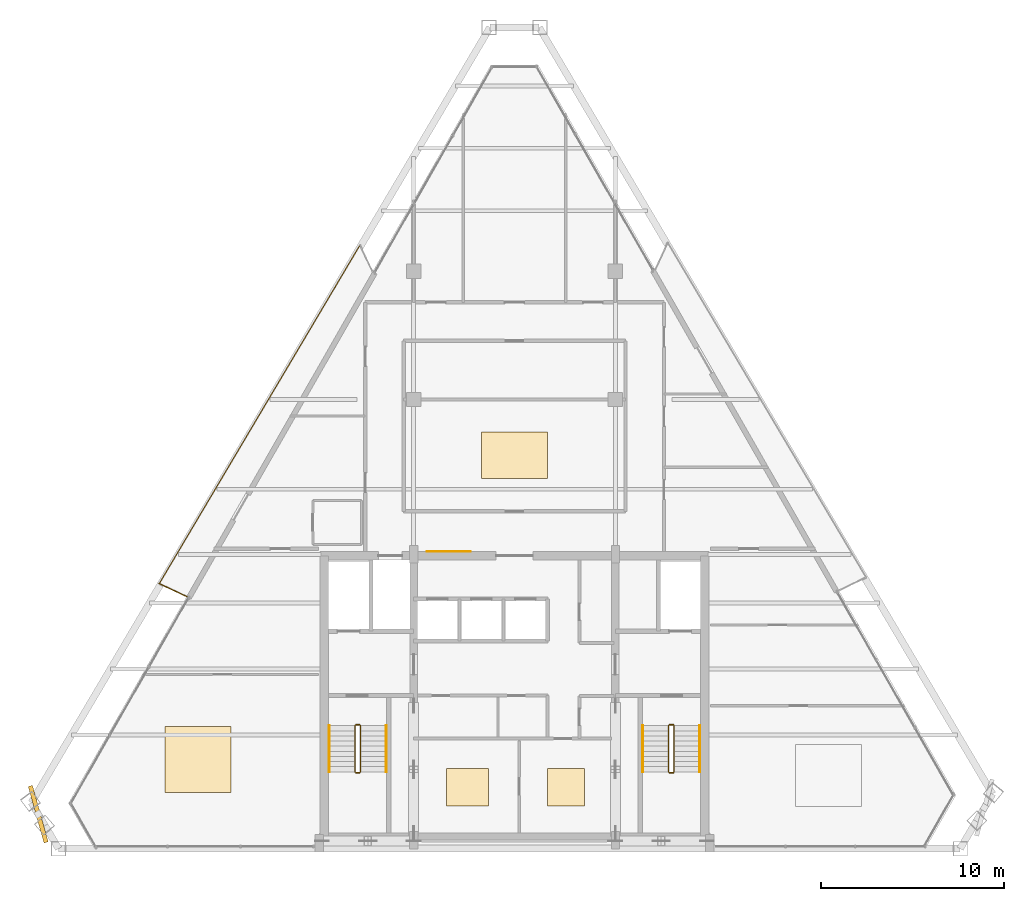
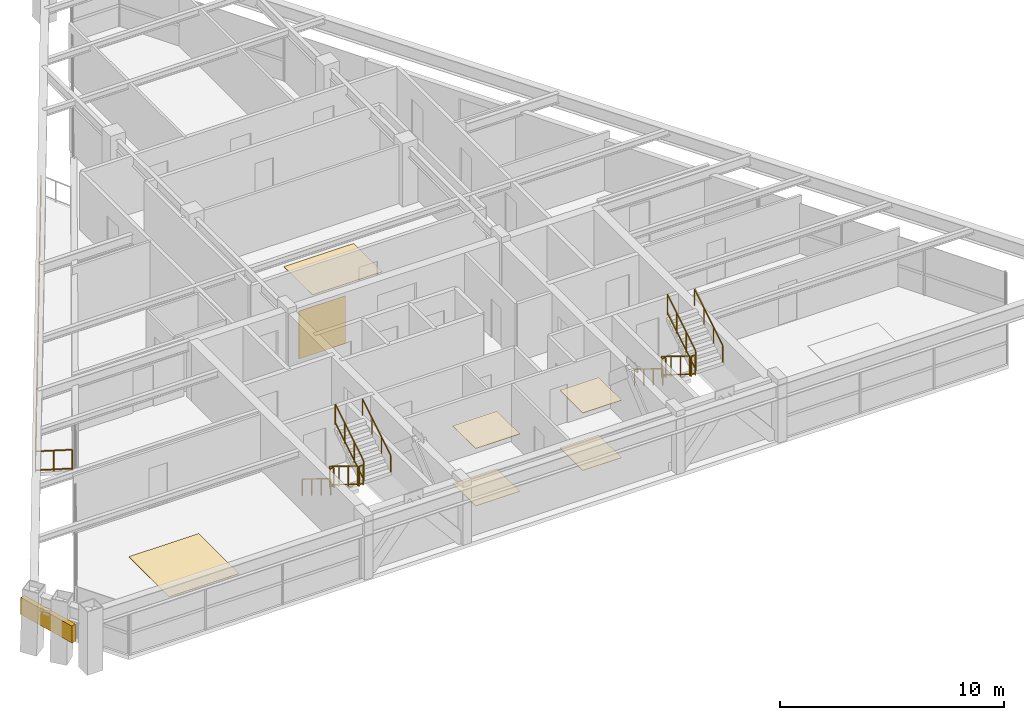
# One storey, part 12 of 13: 14 railings, 7 coverings, 1 shading device.
"""IFC4 building model written with IfcOpenShell, lengths in metres."""

from ifc_helpers import new_model, si_unit, direction, frame, origin, origin_2d, place, context, subcontext, project, spatial, rectangle, extrude, source, transform, mapped, material, layer, layer_set, type_object, type_shapes, element, save


model = new_model("IFC4")

# Units and contexts
model_context = context("Model", 3, precision=1e-05, world=origin(), true_north=direction((0.0, 1.0)))
body_context = subcontext(model_context, "Body", "Model", "MODEL_VIEW")
ifc_project = project(units=[si_unit("LENGTHUNIT", "METRE"), si_unit("AREAUNIT", "SQUARE_METRE"), si_unit("VOLUMEUNIT", "CUBIC_METRE"), si_unit("PLANEANGLEUNIT", "RADIAN"), si_unit("MASSUNIT", "GRAM", prefix="KILO")], contexts=[model_context])

# Site, building, storey
site_placement = place(None, origin())
site = spatial("IfcSite", under=ifc_project, at=site_placement, CompositionType="ELEMENT")
building_placement = place(site_placement, origin())
building = spatial("IfcBuilding", under=site, at=building_placement, Name="Varnakhor Terracotta Tower", CompositionType="ELEMENT")
storey_placement = place(building_placement, frame((0.0, 0.0, 300.60009765625)))
storey = spatial("IfcBuildingStorey", under=building, at=storey_placement, Name="L79", CompositionType="ELEMENT", Elevation=300.60009765625)

# Railings
ifc_material_1 = material(Name="Stainless Steel & Laminated Glass Guardrail", Category="steel")
railing_type_1 = type_object("IfcRailingType", Name="RLG-LOGGIA-GUARD-1150", PredefinedType="GUARDRAIL", material=ifc_material_1)
railing_1_placement = place(storey_placement, frame((-17.880859375, 13.751953125, 0.0)))
element("IfcRailing", 1, at=railing_1_placement, inside=storey, type_object=railing_type_1, Name="L79 W Loggia Glass Guard 1", PredefinedType="GUARDRAIL", context=body_context, shape_type="SweptSolid", body=[
    extrude(rectangle(XDim=0.048095703125, YDim=0.048095703125, at=origin_2d()), frame((0.0, 0.0, 1.1259765625), z_axis=(-0.90399646343, 0.427539932762, 0.0), x_axis=(-0.427539932762, -0.90399646343, 0.0)), (0.0, 0.0, 1.0), 1.652099609375),
    extrude(rectangle(XDim=0.048095703125, YDim=0.048095703125, at=origin_2d()), frame((0.0, 0.0, 0.10009765625), z_axis=(-0.90399646343, 0.427539932762, 0.0), x_axis=(-0.427539932762, -0.90399646343, 0.0)), (0.0, 0.0, 1.0), 1.652099609375),
    extrude(rectangle(XDim=0.0419921875, YDim=0.0419921875, at=origin_2d()), origin(), (0.0, 0.0, 1.0), 1.101806640625),
    extrude(rectangle(XDim=0.0419921875, YDim=0.0419921875, at=origin_2d()), frame((-0.74658203125, 0.35302734375, 0.0)), (0.0, 0.0, 1.0), 1.101806640625),
    extrude(rectangle(XDim=0.0419921875, YDim=0.0419921875, at=origin_2d()), frame((-1.493408203125, 0.706298828125, 0.0)), (0.0, 0.0, 1.0), 1.101806640625),
])
railing_2_placement = place(storey_placement, frame((-19.374267578125, 14.458251953125, 0.0)))
element("IfcRailing", 2, at=railing_2_placement, inside=storey, type_object=railing_type_1, Name="L79 W Loggia Glass Guard 2", PredefinedType="GUARDRAIL", context=body_context, shape_type="SweptSolid", body=[
    extrude(rectangle(XDim=0.048095703125, YDim=0.048095703125, at=origin_2d()), frame((0.0, 0.0, 1.1259765625), z_axis=(0.509912129305, 0.860226493656, 0.0), x_axis=(-0.860226493656, 0.509912129305, 0.0)), (0.0, 0.0, 1.0), 21.465087890625),
    extrude(rectangle(XDim=0.048095703125, YDim=0.048095703125, at=origin_2d()), frame((0.0, 0.0, 0.10009765625), z_axis=(0.509912129305, 0.860226493656, 0.0), x_axis=(-0.860226493656, 0.509912129305, 0.0)), (0.0, 0.0, 1.0), 21.465087890625),
    extrude(rectangle(XDim=0.0419921875, YDim=0.0419921875, at=origin_2d()), origin(), (0.0, 0.0, 1.0), 1.101806640625),
    extrude(rectangle(XDim=0.0419921875, YDim=0.0419921875, at=origin_2d()), frame((0.68408203125, 1.154052734375, 0.0)), (0.0, 0.0, 1.0), 1.101806640625),
    extrude(rectangle(XDim=0.0419921875, YDim=0.0419921875, at=origin_2d()), frame((1.3681640625, 2.30810546875, 0.0)), (0.0, 0.0, 1.0), 1.101806640625),
    extrude(rectangle(XDim=0.0419921875, YDim=0.0419921875, at=origin_2d()), frame((2.05224609375, 3.462158203125, 0.0)), (0.0, 0.0, 1.0), 1.101806640625),
    extrude(rectangle(XDim=0.0419921875, YDim=0.0419921875, at=origin_2d()), frame((2.736328125, 4.6162109375, 0.0)), (0.0, 0.0, 1.0), 1.101806640625),
    extrude(rectangle(XDim=0.0419921875, YDim=0.0419921875, at=origin_2d()), frame((3.42041015625, 5.770263671875, 0.0)), (0.0, 0.0, 1.0), 1.101806640625),
    extrude(rectangle(XDim=0.0419921875, YDim=0.0419921875, at=origin_2d()), frame((4.1044921875, 6.92431640625, 0.0)), (0.0, 0.0, 1.0), 1.101806640625),
    extrude(rectangle(XDim=0.0419921875, YDim=0.0419921875, at=origin_2d()), frame((4.78857421875, 8.078369140625, 0.0)), (0.0, 0.0, 1.0), 1.101806640625),
    extrude(rectangle(XDim=0.0419921875, YDim=0.0419921875, at=origin_2d()), frame((5.47265625, 9.232421875, 0.0)), (0.0, 0.0, 1.0), 1.101806640625),
    extrude(rectangle(XDim=0.0419921875, YDim=0.0419921875, at=origin_2d()), frame((6.15673828125, 10.386474609375, 0.0)), (0.0, 0.0, 1.0), 1.101806640625),
    extrude(rectangle(XDim=0.0419921875, YDim=0.0419921875, at=origin_2d()), frame((6.8408203125, 11.54052734375, 0.0)), (0.0, 0.0, 1.0), 1.101806640625),
    extrude(rectangle(XDim=0.0419921875, YDim=0.0419921875, at=origin_2d()), frame((7.52490234375, 12.694580078125, 0.0)), (0.0, 0.0, 1.0), 1.101806640625),
    extrude(rectangle(XDim=0.0419921875, YDim=0.0419921875, at=origin_2d()), frame((8.208984375, 13.8486328125, 0.0)), (0.0, 0.0, 1.0), 1.101806640625),
    extrude(rectangle(XDim=0.0419921875, YDim=0.0419921875, at=origin_2d()), frame((8.89306640625, 15.002685546875, 0.0)), (0.0, 0.0, 1.0), 1.101806640625),
    extrude(rectangle(XDim=0.0419921875, YDim=0.0419921875, at=origin_2d()), frame((9.5771484375, 16.15673828125, 0.0)), (0.0, 0.0, 1.0), 1.101806640625),
    extrude(rectangle(XDim=0.0419921875, YDim=0.0419921875, at=origin_2d()), frame((10.26123046875, 17.310791015625, 0.0)), (0.0, 0.0, 1.0), 1.101806640625),
    extrude(rectangle(XDim=0.0419921875, YDim=0.0419921875, at=origin_2d()), frame((10.9453125, 18.46484375, 0.0)), (0.0, 0.0, 1.0), 1.101806640625),
])
ifc_material_2 = material(Name="Painted Steel Stairwell Guardrail", Category="steel")
railing_type_2 = type_object("IfcRailingType", Name="RLG-STAIR-GUARD-1120", PredefinedType="GUARDRAIL", material=ifc_material_2)
railing_3_placement = place(storey_placement, frame((-8.699951171875, 6.7099609375, 0.17236328125)))
element("IfcRailing", 3, at=railing_3_placement, inside=storey, type_object=railing_type_2, Name="L79 ST-1 stair guard 1", PredefinedType="GUARDRAIL", context=body_context, shape_type="SweptSolid", body=[
    extrude(rectangle(XDim=0.048095703125, YDim=0.048095703125, at=origin_2d()), frame((0.0, 0.0, 1.09619140625), z_axis=(0.0, -0.851400495292, 0.524516154772), x_axis=(1.0, 0.0, 0.0)), (0.0, 0.0, 1.0), 2.9599609375),
    extrude(rectangle(XDim=0.048095703125, YDim=0.048095703125, at=origin_2d()), frame((0.0, 0.0, 0.10009765625), z_axis=(0.0, -0.851400495292, 0.524516154772), x_axis=(1.0, 0.0, 0.0)), (0.0, 0.0, 1.0), 2.9599609375),
    extrude(rectangle(XDim=0.0419921875, YDim=0.0419921875, at=origin_2d()), origin(), (0.0, 0.0, 1.0), 1.072021484375),
    extrude(rectangle(XDim=0.0419921875, YDim=0.0419921875, at=origin_2d()), frame((0.0, -0.840087890625, 0.517578125)), (0.0, 0.0, 1.0), 1.072021484375),
    extrude(rectangle(XDim=0.0419921875, YDim=0.0419921875, at=origin_2d()), frame((0.0, -1.679931640625, 1.034912109375)), (0.0, 0.0, 1.0), 1.072021484375),
    extrude(rectangle(XDim=0.0419921875, YDim=0.0419921875, at=origin_2d()), frame((0.0, -2.52001953125, 1.552490234375)), (0.0, 0.0, 1.0), 1.072021484375),
])
railing_4_placement = place(storey_placement, frame((-8.64990234375, 4.139892578125, 1.724853515625)))
element("IfcRailing", 4, at=railing_4_placement, inside=storey, type_object=railing_type_2, Name="L79 ST-1 stair guard 2", PredefinedType="GUARDRAIL", context=body_context, shape_type="SweptSolid", body=[
    extrude(rectangle(XDim=0.048095703125, YDim=0.048095703125, at=origin_2d()), frame((0.0, 0.0, 1.09619140625), z_axis=(1.0, 0.0, 0.0), x_axis=(0.0, 1.0, 0.0)), (0.0, 0.0, 1.0), 0.199951171875),
    extrude(rectangle(XDim=0.048095703125, YDim=0.048095703125, at=origin_2d()), frame((0.0, 0.0, 0.10009765625), z_axis=(1.0, 0.0, 0.0), x_axis=(0.0, 1.0, 0.0)), (0.0, 0.0, 1.0), 0.199951171875),
    extrude(rectangle(XDim=0.0419921875, YDim=0.0419921875, at=origin_2d()), origin(), (0.0, 0.0, 1.0), 1.072021484375),
    extrude(rectangle(XDim=0.0419921875, YDim=0.0419921875, at=origin_2d()), frame((0.199951171875, 0.0, 0.0)), (0.0, 0.0, 1.0), 1.072021484375),
])
railing_5_placement = place(storey_placement, frame((-8.39990234375, 4.18994140625, 1.8974609375)))
element("IfcRailing", 5, at=railing_5_placement, inside=storey, type_object=railing_type_2, Name="L79 ST-1 stair guard 3", PredefinedType="GUARDRAIL", context=body_context, shape_type="SweptSolid", body=[
    extrude(rectangle(XDim=0.048095703125, YDim=0.048095703125, at=origin_2d()), frame((0.0, 0.0, 1.09619140625), z_axis=(0.0, 0.851400495292, 0.524516154772), x_axis=(-1.0, 0.0, 0.0)), (0.0, 0.0, 1.0), 2.9599609375),
    extrude(rectangle(XDim=0.048095703125, YDim=0.048095703125, at=origin_2d()), frame((0.0, 0.0, 0.10009765625), z_axis=(0.0, 0.851400495292, 0.524516154772), x_axis=(-1.0, 0.0, 0.0)), (0.0, 0.0, 1.0), 2.9599609375),
    extrude(rectangle(XDim=0.0419921875, YDim=0.0419921875, at=origin_2d()), origin(), (0.0, 0.0, 1.0), 1.072021484375),
    extrude(rectangle(XDim=0.0419921875, YDim=0.0419921875, at=origin_2d()), frame((0.0, 0.840087890625, 0.517578125)), (0.0, 0.0, 1.0), 1.072021484375),
    extrude(rectangle(XDim=0.0419921875, YDim=0.0419921875, at=origin_2d()), frame((0.0, 1.679931640625, 1.034912109375)), (0.0, 0.0, 1.0), 1.072021484375),
    extrude(rectangle(XDim=0.0419921875, YDim=0.0419921875, at=origin_2d()), frame((0.0, 2.52001953125, 1.552490234375)), (0.0, 0.0, 1.0), 1.072021484375),
])
railing_6_placement = place(storey_placement, frame((-8.64990234375, 6.760009765625, 0.0)))
element("IfcRailing", 6, at=railing_6_placement, inside=storey, type_object=railing_type_2, Name="L79 ST-1 stair guard 4", PredefinedType="GUARDRAIL", context=body_context, shape_type="SweptSolid", body=[
    extrude(rectangle(XDim=0.048095703125, YDim=0.048095703125, at=origin_2d()), frame((0.0, 0.0, 1.09619140625), z_axis=(1.0, 0.0, 0.0), x_axis=(0.0, 1.0, 0.0)), (0.0, 0.0, 1.0), 0.199951171875),
    extrude(rectangle(XDim=0.048095703125, YDim=0.048095703125, at=origin_2d()), frame((0.0, 0.0, 0.10009765625), z_axis=(1.0, 0.0, 0.0), x_axis=(0.0, 1.0, 0.0)), (0.0, 0.0, 1.0), 0.199951171875),
    extrude(rectangle(XDim=0.0419921875, YDim=0.0419921875, at=origin_2d()), origin(), (0.0, 0.0, 1.0), 1.072021484375),
    extrude(rectangle(XDim=0.0419921875, YDim=0.0419921875, at=origin_2d()), frame((0.199951171875, 0.0, 0.0)), (0.0, 0.0, 1.0), 1.072021484375),
])
railing_7_placement = place(storey_placement, frame((8.39990234375, 6.7099609375, 0.17236328125)))
element("IfcRailing", 7, at=railing_7_placement, inside=storey, type_object=railing_type_2, Name="L79 ST-2 stair guard 1", PredefinedType="GUARDRAIL", context=body_context, shape_type="SweptSolid", body=[
    extrude(rectangle(XDim=0.048095703125, YDim=0.048095703125, at=origin_2d()), frame((0.0, 0.0, 1.09619140625), z_axis=(0.0, -0.851400495292, 0.524516154772), x_axis=(1.0, 0.0, 0.0)), (0.0, 0.0, 1.0), 2.9599609375),
    extrude(rectangle(XDim=0.048095703125, YDim=0.048095703125, at=origin_2d()), frame((0.0, 0.0, 0.10009765625), z_axis=(0.0, -0.851400495292, 0.524516154772), x_axis=(1.0, 0.0, 0.0)), (0.0, 0.0, 1.0), 2.9599609375),
    extrude(rectangle(XDim=0.0419921875, YDim=0.0419921875, at=origin_2d()), origin(), (0.0, 0.0, 1.0), 1.072021484375),
    extrude(rectangle(XDim=0.0419921875, YDim=0.0419921875, at=origin_2d()), frame((0.0, -0.840087890625, 0.517578125)), (0.0, 0.0, 1.0), 1.072021484375),
    extrude(rectangle(XDim=0.0419921875, YDim=0.0419921875, at=origin_2d()), frame((0.0, -1.679931640625, 1.034912109375)), (0.0, 0.0, 1.0), 1.072021484375),
    extrude(rectangle(XDim=0.0419921875, YDim=0.0419921875, at=origin_2d()), frame((0.0, -2.52001953125, 1.552490234375)), (0.0, 0.0, 1.0), 1.072021484375),
])
railing_8_placement = place(storey_placement, frame((8.449951171875, 4.139892578125, 1.724853515625)))
element("IfcRailing", 8, at=railing_8_placement, inside=storey, type_object=railing_type_2, Name="L79 ST-2 stair guard 2", PredefinedType="GUARDRAIL", context=body_context, shape_type="SweptSolid", body=[
    extrude(rectangle(XDim=0.048095703125, YDim=0.048095703125, at=origin_2d()), frame((0.0, 0.0, 1.09619140625), z_axis=(1.0, 0.0, 0.0), x_axis=(0.0, 1.0, 0.0)), (0.0, 0.0, 1.0), 0.199951171875),
    extrude(rectangle(XDim=0.048095703125, YDim=0.048095703125, at=origin_2d()), frame((0.0, 0.0, 0.10009765625), z_axis=(1.0, 0.0, 0.0), x_axis=(0.0, 1.0, 0.0)), (0.0, 0.0, 1.0), 0.199951171875),
    extrude(rectangle(XDim=0.0419921875, YDim=0.0419921875, at=origin_2d()), origin(), (0.0, 0.0, 1.0), 1.072021484375),
    extrude(rectangle(XDim=0.0419921875, YDim=0.0419921875, at=origin_2d()), frame((0.199951171875, 0.0, 0.0)), (0.0, 0.0, 1.0), 1.072021484375),
])
railing_9_placement = place(storey_placement, frame((8.699951171875, 4.18994140625, 1.8974609375)))
element("IfcRailing", 9, at=railing_9_placement, inside=storey, type_object=railing_type_2, Name="L79 ST-2 stair guard 3", PredefinedType="GUARDRAIL", context=body_context, shape_type="SweptSolid", body=[
    extrude(rectangle(XDim=0.048095703125, YDim=0.048095703125, at=origin_2d()), frame((0.0, 0.0, 1.09619140625), z_axis=(0.0, 0.851400495292, 0.524516154772), x_axis=(-1.0, 0.0, 0.0)), (0.0, 0.0, 1.0), 2.9599609375),
    extrude(rectangle(XDim=0.048095703125, YDim=0.048095703125, at=origin_2d()), frame((0.0, 0.0, 0.10009765625), z_axis=(0.0, 0.851400495292, 0.524516154772), x_axis=(-1.0, 0.0, 0.0)), (0.0, 0.0, 1.0), 2.9599609375),
    extrude(rectangle(XDim=0.0419921875, YDim=0.0419921875, at=origin_2d()), origin(), (0.0, 0.0, 1.0), 1.072021484375),
    extrude(rectangle(XDim=0.0419921875, YDim=0.0419921875, at=origin_2d()), frame((0.0, 0.840087890625, 0.517578125)), (0.0, 0.0, 1.0), 1.072021484375),
    extrude(rectangle(XDim=0.0419921875, YDim=0.0419921875, at=origin_2d()), frame((0.0, 1.679931640625, 1.034912109375)), (0.0, 0.0, 1.0), 1.072021484375),
    extrude(rectangle(XDim=0.0419921875, YDim=0.0419921875, at=origin_2d()), frame((0.0, 2.52001953125, 1.552490234375)), (0.0, 0.0, 1.0), 1.072021484375),
])
railing_10_placement = place(storey_placement, frame((8.449951171875, 6.760009765625, 0.0)))
element("IfcRailing", 10, at=railing_10_placement, inside=storey, type_object=railing_type_2, Name="L79 ST-2 stair guard 4", PredefinedType="GUARDRAIL", context=body_context, shape_type="SweptSolid", body=[
    extrude(rectangle(XDim=0.048095703125, YDim=0.048095703125, at=origin_2d()), frame((0.0, 0.0, 1.09619140625), z_axis=(1.0, 0.0, 0.0), x_axis=(0.0, 1.0, 0.0)), (0.0, 0.0, 1.0), 0.199951171875),
    extrude(rectangle(XDim=0.048095703125, YDim=0.048095703125, at=origin_2d()), frame((0.0, 0.0, 0.10009765625), z_axis=(1.0, 0.0, 0.0), x_axis=(0.0, 1.0, 0.0)), (0.0, 0.0, 1.0), 0.199951171875),
    extrude(rectangle(XDim=0.0419921875, YDim=0.0419921875, at=origin_2d()), origin(), (0.0, 0.0, 1.0), 1.072021484375),
    extrude(rectangle(XDim=0.0419921875, YDim=0.0419921875, at=origin_2d()), frame((0.199951171875, 0.0, 0.0)), (0.0, 0.0, 1.0), 1.072021484375),
])
ifc_material_3 = material(Name="Brushed Stainless Steel Handrail", Category="steel")
railing_type_3 = type_object("IfcRailingType", Name="RLG-STAIR-HANDRAIL-920", PredefinedType="HANDRAIL", material=ifc_material_3)
railing_11_placement = place(storey_placement, frame((-10.10009765625, 6.7099609375, 0.17236328125)))
element("IfcRailing", 11, at=railing_11_placement, inside=storey, type_object=railing_type_3, Name="L79 ST-1 stair handrail 1", PredefinedType="HANDRAIL", context=body_context, shape_type="SweptSolid", body=[
    extrude(rectangle(XDim=0.048095703125, YDim=0.048095703125, at=origin_2d()), frame((0.0, 0.0, 0.89599609375), z_axis=(0.0, -0.851400495292, 0.524516154772), x_axis=(1.0, 0.0, 0.0)), (0.0, 0.0, 1.0), 2.9599609375),
    extrude(rectangle(XDim=0.0419921875, YDim=0.0419921875, at=origin_2d()), origin(), (0.0, 0.0, 1.0), 0.871826171875),
    extrude(rectangle(XDim=0.0419921875, YDim=0.0419921875, at=origin_2d()), frame((0.0, -0.840087890625, 0.517578125)), (0.0, 0.0, 1.0), 0.871826171875),
    extrude(rectangle(XDim=0.0419921875, YDim=0.0419921875, at=origin_2d()), frame((0.0, -1.679931640625, 1.034912109375)), (0.0, 0.0, 1.0), 0.871826171875),
    extrude(rectangle(XDim=0.0419921875, YDim=0.0419921875, at=origin_2d()), frame((0.0, -2.52001953125, 1.552490234375)), (0.0, 0.0, 1.0), 0.871826171875),
])
railing_12_placement = place(storey_placement, frame((-7.0, 4.18994140625, 1.8974609375)))
element("IfcRailing", 12, at=railing_12_placement, inside=storey, type_object=railing_type_3, Name="L79 ST-1 stair handrail 2", PredefinedType="HANDRAIL", context=body_context, shape_type="SweptSolid", body=[
    extrude(rectangle(XDim=0.048095703125, YDim=0.048095703125, at=origin_2d()), frame((0.0, 0.0, 0.89599609375), z_axis=(0.0, 0.851400495292, 0.524516154772), x_axis=(-1.0, 0.0, 0.0)), (0.0, 0.0, 1.0), 2.9599609375),
    extrude(rectangle(XDim=0.0419921875, YDim=0.0419921875, at=origin_2d()), origin(), (0.0, 0.0, 1.0), 0.871826171875),
    extrude(rectangle(XDim=0.0419921875, YDim=0.0419921875, at=origin_2d()), frame((0.0, 0.840087890625, 0.517578125)), (0.0, 0.0, 1.0), 0.871826171875),
    extrude(rectangle(XDim=0.0419921875, YDim=0.0419921875, at=origin_2d()), frame((0.0, 1.679931640625, 1.034912109375)), (0.0, 0.0, 1.0), 0.871826171875),
    extrude(rectangle(XDim=0.0419921875, YDim=0.0419921875, at=origin_2d()), frame((0.0, 2.52001953125, 1.552490234375)), (0.0, 0.0, 1.0), 0.871826171875),
])
railing_13_placement = place(storey_placement, frame((7.0, 6.7099609375, 0.17236328125)))
element("IfcRailing", 13, at=railing_13_placement, inside=storey, type_object=railing_type_3, Name="L79 ST-2 stair handrail 1", PredefinedType="HANDRAIL", context=body_context, shape_type="SweptSolid", body=[
    extrude(rectangle(XDim=0.048095703125, YDim=0.048095703125, at=origin_2d()), frame((0.0, 0.0, 0.89599609375), z_axis=(0.0, -0.851400495292, 0.524516154772), x_axis=(1.0, 0.0, 0.0)), (0.0, 0.0, 1.0), 2.9599609375),
    extrude(rectangle(XDim=0.0419921875, YDim=0.0419921875, at=origin_2d()), origin(), (0.0, 0.0, 1.0), 0.871826171875),
    extrude(rectangle(XDim=0.0419921875, YDim=0.0419921875, at=origin_2d()), frame((0.0, -0.840087890625, 0.517578125)), (0.0, 0.0, 1.0), 0.871826171875),
    extrude(rectangle(XDim=0.0419921875, YDim=0.0419921875, at=origin_2d()), frame((0.0, -1.679931640625, 1.034912109375)), (0.0, 0.0, 1.0), 0.871826171875),
    extrude(rectangle(XDim=0.0419921875, YDim=0.0419921875, at=origin_2d()), frame((0.0, -2.52001953125, 1.552490234375)), (0.0, 0.0, 1.0), 0.871826171875),
])
railing_14_placement = place(storey_placement, frame((10.10009765625, 4.18994140625, 1.8974609375)))
element("IfcRailing", 14, at=railing_14_placement, inside=storey, type_object=railing_type_3, Name="L79 ST-2 stair handrail 2", PredefinedType="HANDRAIL", context=body_context, shape_type="SweptSolid", body=[
    extrude(rectangle(XDim=0.048095703125, YDim=0.048095703125, at=origin_2d()), frame((0.0, 0.0, 0.89599609375), z_axis=(0.0, 0.851400495292, 0.524516154772), x_axis=(-1.0, 0.0, 0.0)), (0.0, 0.0, 1.0), 2.9599609375),
    extrude(rectangle(XDim=0.0419921875, YDim=0.0419921875, at=origin_2d()), origin(), (0.0, 0.0, 1.0), 0.871826171875),
    extrude(rectangle(XDim=0.0419921875, YDim=0.0419921875, at=origin_2d()), frame((0.0, 0.840087890625, 0.517578125)), (0.0, 0.0, 1.0), 0.871826171875),
    extrude(rectangle(XDim=0.0419921875, YDim=0.0419921875, at=origin_2d()), frame((0.0, 1.679931640625, 1.034912109375)), (0.0, 0.0, 1.0), 0.871826171875),
    extrude(rectangle(XDim=0.0419921875, YDim=0.0419921875, at=origin_2d()), frame((0.0, 2.52001953125, 1.552490234375)), (0.0, 0.0, 1.0), 0.871826171875),
])

# Shading device
ifc_material_4 = material(Name="Extruded Architectural Terracotta Screen", Category="masonry")
shading_device_type = type_object("IfcShadingDeviceType", Name="TERRACOTTA SOLAR SCREEN W", PredefinedType="USERDEFINED", material=ifc_material_4)
shared_shape_1 = source(origin(), body_context, "Body", "SweptSolid", [
    extrude(rectangle(XDim=3.199951171875, YDim=0.239990234375, at=origin_2d()), origin(), (0.0, 0.0, 1.0), 0.919921875),
])
type_shapes(shading_device_type, [shared_shape_1])
shading_device_placement = place(storey_placement, frame((-25.97900390625, 1.88232421875, 1.471923828125), z_axis=(0.0, 0.0, 1.0), x_axis=(0.269003871381, -0.963139095449, 0.0)))
element("IfcShadingDevice", 15, at=shading_device_placement, inside=storey, type_object=shading_device_type, Name="L79 W Terracotta Solar Screen", ObjectType="SCREEN", PredefinedType="USERDEFINED", context=body_context, shape_type="MappedRepresentation", body=[
    mapped(shared_shape_1, transform((0.0, 0.0, 0.0), scale=1.0)),
])

# Coverings
ifc_material_5 = material(Name="Extruded Architectural Terracotta Cladding", Category="masonry")
ifc_layer_1 = layer(ifc_material_5, 0.044921875, Name="Extruded Architectural Terracotta Cladding")
ifc_layer_set_1 = layer_set([ifc_layer_1], Name="Extruded Architectural Terracotta Cladding")
covering_type_1 = type_object("IfcCoveringType", Name="COV-CLAD-TERRACOTTA", PredefinedType="CLADDING", material=ifc_layer_set_1)
shared_shape_2 = source(origin(), body_context, "Body", "SweptSolid", [
    extrude(rectangle(XDim=2.39990234375, YDim=0.030029296875, at=origin_2d()), origin(), (0.0, 0.0, 1.0), 2.60009765625),
])
type_shapes(covering_type_1, [shared_shape_2])
covering_1_placement = place(storey_placement, frame((-3.60009765625, 16.2119140625, -0.000244140625), z_axis=(0.0, 0.0, 1.0), x_axis=(1.0, 0.0, 0.0)))
element("IfcCovering", 16, at=covering_1_placement, inside=storey, type_object=covering_type_1, Name="L79 Core Lobby Limestone Cladding", PredefinedType="CLADDING", context=body_context, shape_type="MappedRepresentation", body=[
    mapped(shared_shape_2, transform((0.0, 0.0, 0.0), scale=1.0)),
])
ifc_material_6 = material(Name="Honed Riyadh Limestone Flooring", Category="masonry")
ifc_layer_2 = layer(ifc_material_6, 0.030029296875, Name="Honed Riyadh Limestone Flooring")
ifc_layer_set_2 = layer_set([ifc_layer_2], Name="Honed Riyadh Limestone Flooring")
covering_type_2 = type_object("IfcCoveringType", Name="COV-FLOOR-LIMESTONE", PredefinedType="FLOORING", material=ifc_layer_set_2)
shared_shape_3 = source(origin(), body_context, "Body", "SweptSolid", [
    extrude(rectangle(XDim=3.60009765625, YDim=3.60009765625, at=origin_2d()), origin(), (0.0, 0.0, 1.0), 0.02001953125),
])
covering_2_placement = place(storey_placement, frame((-17.26611328125, 4.85400390625, 0.0), z_axis=(0.0, 0.0, 1.0), x_axis=(1.0, 0.0, 0.0)))
element("IfcCovering", 17, at=covering_2_placement, inside=storey, type_object=covering_type_2, Name="L79 Honed Stone Flooring 4", PredefinedType="FLOORING", context=body_context, shape_type="MappedRepresentation", body=[
    mapped(shared_shape_3, transform((0.0, 0.0, 0.0), scale=1.0)),
])
shared_shape_4 = source(origin(), body_context, "Body", "SweptSolid", [
    extrude(rectangle(XDim=2.281982421875, YDim=2.041015625, at=origin_2d()), origin(), (0.0, 0.0, 1.0), 0.02001953125),
])
covering_3_placement = place(storey_placement, frame((-2.56494140625, 3.35498046875, 0.0), z_axis=(0.0, 0.0, 1.0), x_axis=(1.0, 0.0, 0.0)))
element("IfcCovering", 18, at=covering_3_placement, inside=storey, type_object=covering_type_2, Name="L79 Honed Stone Flooring 1", PredefinedType="FLOORING", context=body_context, shape_type="MappedRepresentation", body=[
    mapped(shared_shape_4, transform((0.0, 0.0, 0.0), scale=1.0)),
])
ifc_material_7 = material(Name="Perforated Acoustic Mineral-Fibre Ceiling", Category="gypsum")
ifc_layer_3 = layer(ifc_material_7, 0.02490234375, Name="Perforated Acoustic Mineral-Fibre Ceiling")
ifc_layer_set_3 = layer_set([ifc_layer_3], Name="Perforated Acoustic Mineral-Fibre Ceiling")
covering_type_3 = type_object("IfcCoveringType", Name="COV-CEILING-ACOUSTIC", PredefinedType="CEILING", material=ifc_layer_set_3)
shared_shape_5 = source(origin(), body_context, "Body", "SweptSolid", [
    extrude(rectangle(XDim=2.281982421875, YDim=2.041015625, at=origin_2d()), origin(), (0.0, 0.0, 1.0), 0.02392578125),
])
covering_4_placement = place(storey_placement, frame((-2.56494140625, 3.35498046875, 3.1259765625), z_axis=(0.0, 0.0, 1.0), x_axis=(1.0, 0.0, 0.0)))
element("IfcCovering", 19, at=covering_4_placement, inside=storey, type_object=covering_type_3, Name="L79 Acoustic Ceiling Panel 1", PredefinedType="CEILING", context=body_context, shape_type="MappedRepresentation", body=[
    mapped(shared_shape_5, transform((0.0, 0.0, 0.0), scale=1.0)),
])
shared_shape_6 = source(origin(), body_context, "Body", "SweptSolid", [
    extrude(rectangle(XDim=2.007080078125, YDim=2.041015625, at=origin_2d()), origin(), (0.0, 0.0, 1.0), 0.02001953125),
])
covering_5_placement = place(storey_placement, frame((2.81494140625, 3.35498046875, 0.0), z_axis=(0.0, 0.0, 1.0), x_axis=(1.0, 0.0, 0.0)))
element("IfcCovering", 20, at=covering_5_placement, inside=storey, type_object=covering_type_2, Name="L79 Honed Stone Flooring 2", PredefinedType="FLOORING", context=body_context, shape_type="MappedRepresentation", body=[
    mapped(shared_shape_6, transform((0.0, 0.0, 0.0), scale=1.0)),
])
shared_shape_7 = source(origin(), body_context, "Body", "SweptSolid", [
    extrude(rectangle(XDim=2.007080078125, YDim=2.041015625, at=origin_2d()), origin(), (0.0, 0.0, 1.0), 0.02392578125),
])
covering_6_placement = place(storey_placement, frame((2.81494140625, 3.35498046875, 3.1259765625), z_axis=(0.0, 0.0, 1.0), x_axis=(1.0, 0.0, 0.0)))
element("IfcCovering", 21, at=covering_6_placement, inside=storey, type_object=covering_type_3, Name="L79 Acoustic Ceiling Panel 2", PredefinedType="CEILING", context=body_context, shape_type="MappedRepresentation", body=[
    mapped(shared_shape_7, transform((0.0, 0.0, 0.0), scale=1.0)),
])
shared_shape_8 = source(origin(), body_context, "Body", "SweptSolid", [
    extrude(rectangle(XDim=3.60009765625, YDim=2.5439453125, at=origin_2d()), origin(), (0.0, 0.0, 1.0), 0.02001953125),
])
covering_7_placement = place(storey_placement, frame((0.0, 21.4609375, 0.0), z_axis=(0.0, 0.0, 1.0), x_axis=(1.0, 0.0, 0.0)))
element("IfcCovering", 22, at=covering_7_placement, inside=storey, type_object=covering_type_2, Name="L79 Honed Stone Flooring 5", PredefinedType="FLOORING", context=body_context, shape_type="MappedRepresentation", body=[
    mapped(shared_shape_8, transform((0.0, 0.0, 0.0), scale=1.0)),
])

save(model, "model.ifc")
